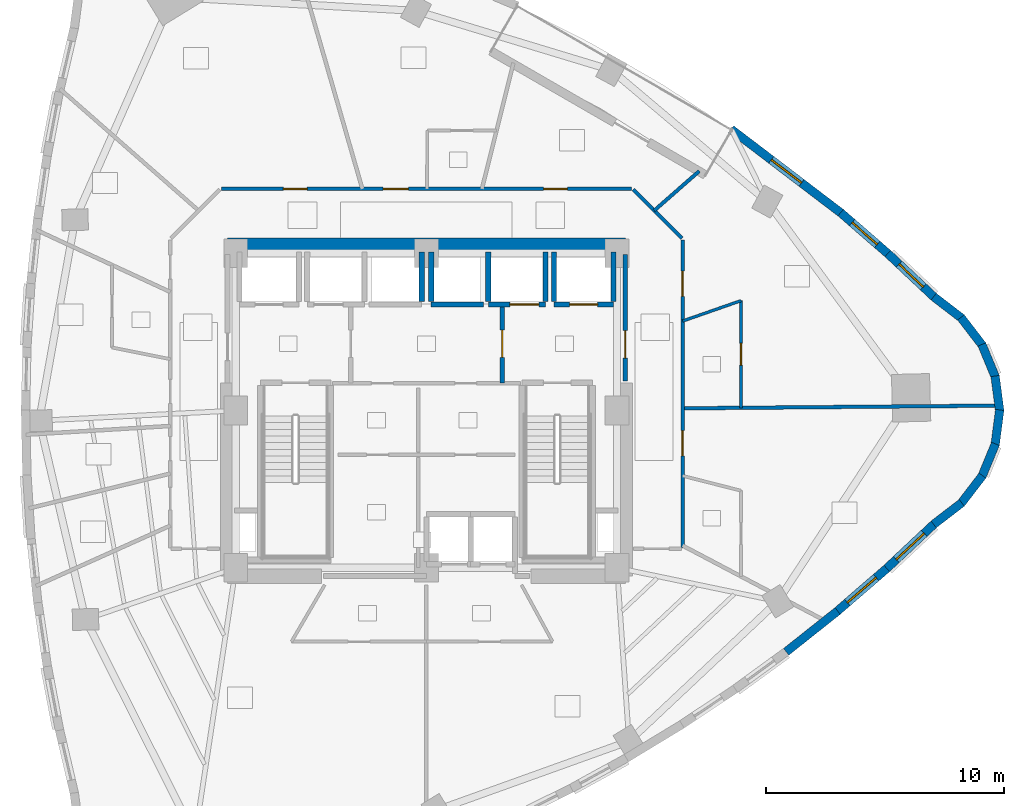
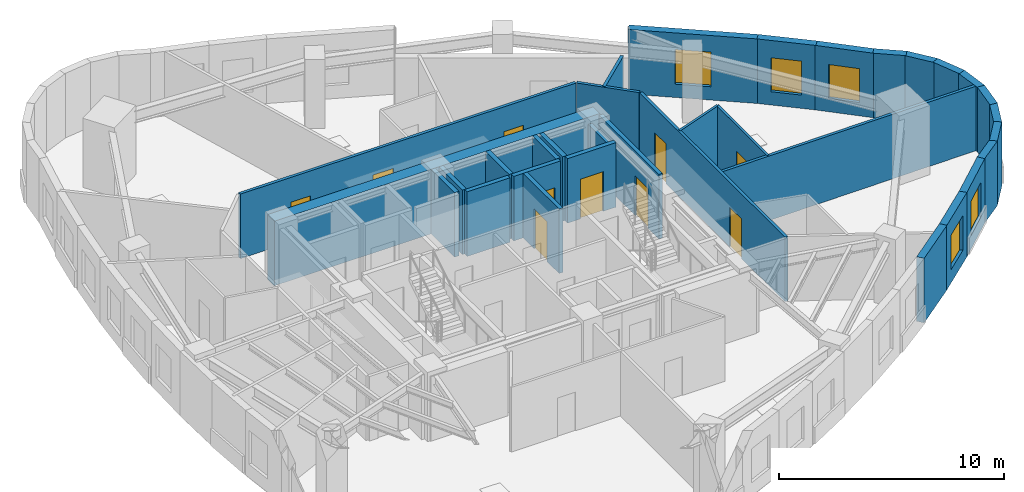
# One storey, part 9 of 13: 33 walls, 10 doors, 5 windows, 15 openings.
"""IFC4 building model written with IfcOpenShell, lengths in metres."""

from ifc_helpers import new_model, si_unit, direction, frame, frame_2d, origin, place, context, subcontext, project, spatial, rectangle, extrude, material, layer, layer_set, type_object, element, fill, save


model = new_model("IFC4")

# Units and contexts
model_context = context("Model", 3, precision=1e-05, world=origin(), true_north=direction((0.0, 1.0)))
body_context = subcontext(model_context, "Body", "Model", "MODEL_VIEW")
ifc_project = project(units=[si_unit("LENGTHUNIT", "METRE"), si_unit("AREAUNIT", "SQUARE_METRE"), si_unit("VOLUMEUNIT", "CUBIC_METRE"), si_unit("PLANEANGLEUNIT", "RADIAN"), si_unit("MASSUNIT", "GRAM", prefix="KILO")], contexts=[model_context])

# Site, building, storey
site_placement = place(None, origin())
site = spatial("IfcSite", under=ifc_project, at=site_placement, CompositionType="ELEMENT")
building_placement = place(site_placement, origin())
building = spatial("IfcBuilding", under=site, at=building_placement, Name="Ndelora Gate Hotel", CompositionType="ELEMENT")
storey_placement = place(building_placement, frame((0.0, 0.0, 123.5)))
storey = spatial("IfcBuildingStorey", under=building, at=storey_placement, Name="L30", CompositionType="ELEMENT", Elevation=123.5)

# Wall
ifc_material_1 = material(Name="Clay Brick Masonry", Category="masonry")
ifc_layer_1 = layer(ifc_material_1, 0.360107421875)
ifc_layer_set_1 = layer_set([ifc_layer_1], Name="Clay Brick Masonry")
wall_type_1 = type_object("IfcWallType", Name="WL-BRICK-360", PredefinedType="SOLIDWALL", material=ifc_layer_set_1)
wall_1_placement = place(storey_placement, frame((17.25927734375, -8.412841796875, 0.0), z_axis=(0.0, 0.0, 1.0), x_axis=(-0.783005616034, -0.622014634281, 0.0)))
element("IfcWall", 1, at=wall_1_placement, inside=storey, type_object=wall_type_1, Name="L30 Tower Brick Pier-and-Spandrel Wall TWR-38", PredefinedType="SOLIDWALL", context=body_context, shape_type="SweptSolid", body=[
    extrude(rectangle(XDim=2.758544921875, YDim=0.360107421875, at=frame_2d((1.37939453125, 0.0))), origin(), (0.0, 0.0, 1.0), 3.5),
])

# Wall, opening, window
wall_2_placement = place(storey_placement, frame((19.322509765625, -6.62890625, 0.0), z_axis=(0.0, 0.0, 1.0), x_axis=(-0.756738013258, -0.65371827211, 0.0)))
wall_2 = element("IfcWall", 2, at=wall_2_placement, inside=storey, type_object=wall_type_1, Name="L30 Tower Brick Pier-and-Spandrel Wall TWR-39", PredefinedType="SOLIDWALL", context=body_context, shape_type="SweptSolid", body=[
    extrude(rectangle(XDim=2.77734375, YDim=0.360107421875, at=frame_2d((1.388671875, 0.0))), origin(), (0.0, 0.0, 1.0), 3.5),
])
opening_1_placement = place(wall_2_placement, frame((0.5888671875, 0.0, 0.719970703125)))
opening_1 = element("IfcOpeningElement", 3, at=opening_1_placement, cuts=wall_2, Name="Opening W01", PredefinedType="OPENING", context=body_context, shape_type="SweptSolid", body=[
    extrude(rectangle(XDim=1.60009765625, YDim=1.8798828125, at=frame_2d((0.800048828125, 0.93994140625))), frame((0.0, 0.18994140625, 0.0), z_axis=(0.0, -1.0, 0.0), x_axis=(1.0, 0.0, 0.0)), (0.0, 0.0, 1.0), 0.380126953125),
])
ifc_material_2 = material(Name="Insulated Low-E Double Glazing in Bronze Aluminium Frame", Category="aluminium")
window_type_1 = type_object("IfcWindowType", Name="WN-DEEP-1600", PartitioningType="SINGLE_PANEL", PredefinedType="WINDOW", material=ifc_material_2)
window_1_placement = place(opening_1_placement, origin())
window_1 = element("IfcWindow", 4, at=window_1_placement, inside=storey, type_object=window_type_1, Name="L30 Deep-Set Brick-Pier Window W01", OverallHeight=1.8798828125, OverallWidth=1.60009765625, PartitioningType="SINGLE_PANEL", PredefinedType="WINDOW", context=body_context, shape_type="SweptSolid", body=[
    extrude(rectangle(XDim=1.60009765625, YDim=1.8798828125, at=frame_2d((0.800048828125, 0.93994140625))), frame((0.0, 0.030029296875, 0.0), z_axis=(0.0, -1.0, 0.0), x_axis=(1.0, 0.0, 0.0)), (0.0, 0.0, 1.0), 0.06005859375),
])
fill(opening_1, window_1)

wall_3_placement = place(storey_placement, frame((21.32861328125, -4.74609375, 0.0), z_axis=(0.0, 0.0, 1.0), x_axis=(-0.729447500313, -0.684036800389, 0.0)))
wall_3 = element("IfcWall", 5, at=wall_3_placement, inside=storey, type_object=wall_type_1, Name="L30 Tower Brick Pier-and-Spandrel Wall TWR-40", PredefinedType="SOLIDWALL", context=body_context, shape_type="SweptSolid", body=[
    extrude(rectangle(XDim=2.801025390625, YDim=0.360107421875, at=frame_2d((1.400390625, 0.0))), origin(), (0.0, 0.0, 1.0), 3.5),
])
opening_2_placement = place(wall_3_placement, frame((0.6005859375, 0.0, 0.719970703125)))
opening_2 = element("IfcOpeningElement", 6, at=opening_2_placement, cuts=wall_3, Name="Opening W01", PredefinedType="OPENING", context=body_context, shape_type="SweptSolid", body=[
    extrude(rectangle(XDim=1.60009765625, YDim=1.8798828125, at=frame_2d((0.800048828125, 0.93994140625))), frame((0.0, 0.18994140625, 0.0), z_axis=(0.0, -1.0, 0.0), x_axis=(1.0, 0.0, 0.0)), (0.0, 0.0, 1.0), 0.380126953125),
])
window_2_placement = place(opening_2_placement, origin())
window_2 = element("IfcWindow", 7, at=window_2_placement, inside=storey, type_object=window_type_1, Name="L30 Deep-Set Brick-Pier Window W01", OverallHeight=1.8798828125, OverallWidth=1.60009765625, PartitioningType="SINGLE_PANEL", PredefinedType="WINDOW", context=body_context, shape_type="SweptSolid", body=[
    extrude(rectangle(XDim=1.60009765625, YDim=1.8798828125, at=frame_2d((0.800048828125, 0.93994140625))), frame((0.0, 0.030029296875, 0.0), z_axis=(0.0, -1.0, 0.0), x_axis=(1.0, 0.0, 0.0)), (0.0, 0.0, 1.0), 0.06005859375),
])
fill(opening_2, window_2)

# Walls
for number, where, z_axis, x_axis, name in (
    (8, (22.46923828125, -3.873779296875, 0.0), (0.0, 0.0, 1.0), (-0.793325936538, -0.608797140611, 0.0), "L30 Tower Brick Pier-and-Spandrel Wall TWR-41"),
    (9, (23.338623046875, -2.730224609375, 0.0), (0.0, 0.0, 1.0), (-0.608797140611, -0.793325936538, 0.0), "L30 Tower Brick Pier-and-Spandrel Wall TWR-42"),
    (10, (23.882568359375, -1.400390625, 0.0), (0.0, 0.0, 1.0), (-0.382666201867, -0.923886669429, 0.0), "L30 Tower Brick Pier-and-Spandrel Wall TWR-43"),
    (11, (24.063720703125, 0.02490234375, 0.0), (0.0, 0.0, 1.0), (-0.130624522576, -0.991431910976, 0.0), "L30 Tower Brick Pier-and-Spandrel Wall TWR-44"),
    (12, (23.86962890625, 1.4482421875, 0.0), (0.0, 0.0, 1.0), (0.130624522576, -0.991431910976, 0.0), "L30 Tower Brick Pier-and-Spandrel Wall TWR-45"),
    (13, (23.31396484375, 2.773193359375, 0.0), (0.0, 0.0, 1.0), (0.382666201867, -0.923886669429, 0.0), "L30 Tower Brick Pier-and-Spandrel Wall TWR-46"),
    (14, (22.43408203125, 3.908935546875, 0.0), (0.0, 0.0, 1.0), (0.608797140611, -0.793325936538, 0.0), "L30 Tower Brick Pier-and-Spandrel Wall TWR-47"),
    (15, (21.29052734375, 4.7783203125, 0.0), (0.0, 0.0, 1.0), (0.793325936538, -0.608797140611, 0.0), "L30 Tower Brick Pier-and-Spandrel Wall TWR-48"),
):
    element("IfcWall", number, at=place(storey_placement, frame(where, z_axis=z_axis, x_axis=x_axis)), inside=storey, type_object=wall_type_1, Name=name, PredefinedType="SOLIDWALL", context=body_context, shape_type="SweptSolid", body=[
        extrude(rectangle(XDim=1.48583984375, YDim=0.360107421875, at=frame_2d((0.742919921875, 0.0))), origin(), (0.0, 0.0, 1.0), 3.5),
    ])

# Wall, opening, window
wall_4_placement = place(storey_placement, frame((19.36669921875, 6.5888671875, 0.0), z_axis=(0.0, 0.0, 1.0), x_axis=(0.728891962159, -0.684628736981, 0.0)))
wall_4 = element("IfcWall", 16, at=wall_4_placement, inside=storey, type_object=wall_type_1, Name="L30 Tower Brick Pier-and-Spandrel Wall TWR-49", PredefinedType="SOLIDWALL", context=body_context, shape_type="SweptSolid", body=[
    extrude(rectangle(XDim=2.691650390625, YDim=0.360107421875, at=frame_2d((1.345703125, 0.0))), origin(), (0.0, 0.0, 1.0), 3.5),
])
opening_3_placement = place(wall_4_placement, frame((0.645751953125, 0.0, 0.719970703125)))
opening_3 = element("IfcOpeningElement", 17, at=opening_3_placement, cuts=wall_4, Name="Opening W02", PredefinedType="OPENING", context=body_context, shape_type="SweptSolid", body=[
    extrude(rectangle(XDim=1.39990234375, YDim=1.840087890625, at=frame_2d((0.699951171875, 0.919921875))), frame((0.0, 0.18994140625, 0.0), z_axis=(0.0, -1.0, 0.0), x_axis=(1.0, 0.0, 0.0)), (0.0, 0.0, 1.0), 0.380126953125),
])
window_type_2 = type_object("IfcWindowType", Name="WN-DEEP-1400", PartitioningType="SINGLE_PANEL", PredefinedType="WINDOW", material=ifc_material_2)
window_3_placement = place(opening_3_placement, origin())
window_3 = element("IfcWindow", 18, at=window_3_placement, inside=storey, type_object=window_type_2, Name="L30 Deep-Set Brick-Pier Window W02", OverallHeight=1.840087890625, OverallWidth=1.39990234375, PartitioningType="SINGLE_PANEL", PredefinedType="WINDOW", context=body_context, shape_type="SweptSolid", body=[
    extrude(rectangle(XDim=1.39990234375, YDim=1.840087890625, at=frame_2d((0.699951171875, 0.919921875))), frame((0.0, 0.030029296875, 0.0), z_axis=(0.0, -1.0, 0.0), x_axis=(1.0, 0.0, 0.0)), (0.0, 0.0, 1.0), 0.06005859375),
])
fill(opening_3, window_3)

wall_5_placement = place(storey_placement, frame((17.387939453125, 8.305908203125, 0.0), z_axis=(0.0, 0.0, 1.0), x_axis=(0.755058136048, -0.655657846126, 0.0)))
wall_5 = element("IfcWall", 19, at=wall_5_placement, inside=storey, type_object=wall_type_1, Name="L30 Tower Brick Pier-and-Spandrel Wall TWR-50", PredefinedType="SOLIDWALL", context=body_context, shape_type="SweptSolid", body=[
    extrude(rectangle(XDim=2.669921875, YDim=0.360107421875, at=frame_2d((1.3349609375, 0.0))), origin(), (0.0, 0.0, 1.0), 3.5),
])
opening_4_placement = place(wall_5_placement, frame((0.635009765625, 0.0, 0.719970703125)))
opening_4 = element("IfcOpeningElement", 20, at=opening_4_placement, cuts=wall_5, Name="Opening W02", PredefinedType="OPENING", context=body_context, shape_type="SweptSolid", body=[
    extrude(rectangle(XDim=1.39990234375, YDim=1.840087890625, at=frame_2d((0.699951171875, 0.919921875))), frame((0.0, 0.18994140625, 0.0), z_axis=(0.0, -1.0, 0.0), x_axis=(1.0, 0.0, 0.0)), (0.0, 0.0, 1.0), 0.380126953125),
])
window_4_placement = place(opening_4_placement, origin())
window_4 = element("IfcWindow", 21, at=window_4_placement, inside=storey, type_object=window_type_2, Name="L30 Deep-Set Brick-Pier Window W02", OverallHeight=1.840087890625, OverallWidth=1.39990234375, PartitioningType="SINGLE_PANEL", PredefinedType="WINDOW", context=body_context, shape_type="SweptSolid", body=[
    extrude(rectangle(XDim=1.39990234375, YDim=1.840087890625, at=frame_2d((0.699951171875, 0.919921875))), frame((0.0, 0.030029296875, 0.0), z_axis=(0.0, -1.0, 0.0), x_axis=(1.0, 0.0, 0.0)), (0.0, 0.0, 1.0), 0.06005859375),
])
fill(opening_4, window_4)

wall_6_placement = place(storey_placement, frame((12.791259765625, 11.8046875, 0.0), z_axis=(0.0, 0.0, 1.0), x_axis=(0.795558665525, -0.605876563095, 0.0)))
wall_6 = element("IfcWall", 22, at=wall_6_placement, inside=storey, type_object=wall_type_1, Name="L30 Tower Brick Pier-and-Spandrel Wall TWR-51", PredefinedType="SOLIDWALL", context=body_context, shape_type="SweptSolid", body=[
    extrude(rectangle(XDim=5.82666015625, YDim=0.360107421875, at=frame_2d((2.913330078125, 0.0))), origin(), (0.0, 0.0, 1.0), 3.5),
])
opening_5_placement = place(wall_6_placement, frame((2.11328125, 0.0, 0.719970703125)))
opening_5 = element("IfcOpeningElement", 23, at=opening_5_placement, cuts=wall_6, Name="Opening W01", PredefinedType="OPENING", context=body_context, shape_type="SweptSolid", body=[
    extrude(rectangle(XDim=1.60009765625, YDim=1.8798828125, at=frame_2d((0.800048828125, 0.93994140625))), frame((0.0, 0.18994140625, 0.0), z_axis=(0.0, -1.0, 0.0), x_axis=(1.0, 0.0, 0.0)), (0.0, 0.0, 1.0), 0.380126953125),
])
window_5_placement = place(opening_5_placement, origin())
window_5 = element("IfcWindow", 24, at=window_5_placement, inside=storey, type_object=window_type_1, Name="L30 Deep-Set Brick-Pier Window W01", OverallHeight=1.8798828125, OverallWidth=1.60009765625, PartitioningType="SINGLE_PANEL", PredefinedType="WINDOW", context=body_context, shape_type="SweptSolid", body=[
    extrude(rectangle(XDim=1.60009765625, YDim=1.8798828125, at=frame_2d((0.800048828125, 0.93994140625))), frame((0.0, 0.030029296875, 0.0), z_axis=(0.0, -1.0, 0.0), x_axis=(1.0, 0.0, 0.0)), (0.0, 0.0, 1.0), 0.06005859375),
])
fill(opening_5, window_5)

# Wall
ifc_material_3 = material(Name="Concrete C60/75", Category="concrete")
ifc_layer_2 = layer(ifc_material_3, 0.60009765625)
ifc_layer_set_2 = layer_set([ifc_layer_2], Name="Concrete C60/75")
wall_type_2 = type_object("IfcWallType", Name="WL-CORE-600", PredefinedType="SHEAR", material=ifc_layer_set_2)
wall_7_placement = place(storey_placement, frame((-8.35009765625, 6.949951171875, 0.0), z_axis=(0.0, 0.0, 1.0), x_axis=(1.0, 0.0, 0.0)))
element("IfcWall", 25, at=wall_7_placement, inside=storey, type_object=wall_type_2, Name="L30 Core Shear Wall N", PredefinedType="SHEAR", context=body_context, shape_type="SweptSolid", body=[
    extrude(rectangle(XDim=16.7001953125, YDim=0.60009765625, at=frame_2d((8.35009765625, 0.0))), origin(), (0.0, 0.0, 1.0), 3.5),
])

# Wall, opening, door
ifc_material_4 = material(Name="Concrete C40/50", Category="concrete")
ifc_layer_3 = layer(ifc_material_4, 0.199951171875)
ifc_layer_set_3 = layer_set([ifc_layer_3], Name="Concrete C40/50")
wall_type_3 = type_object("IfcWallType", Name="WL-FIRE-200", PredefinedType="PARTITIONING", material=ifc_layer_set_3)
wall_8_placement = place(storey_placement, frame((3.179931640625, 1.14990234375, 0.0), z_axis=(0.0, 0.0, 1.0), x_axis=(0.0, 1.0, 0.0)))
wall_8 = element("IfcWall", 26, at=wall_8_placement, inside=storey, type_object=wall_type_3, Name="L30 Interior Wall IW-2", PredefinedType="PARTITIONING", context=body_context, shape_type="SweptSolid", body=[
    extrude(rectangle(XDim=3.300048828125, YDim=0.199951171875, at=frame_2d((1.64990234375, 0.0))), origin(), (0.0, 0.0, 1.0), 3.5),
])
opening_6_placement = place(wall_8_placement, frame((1.080078125, 0.0, 0.0)))
opening_6 = element("IfcOpeningElement", 27, at=opening_6_placement, cuts=wall_8, Name="Opening FD1", PredefinedType="OPENING", context=body_context, shape_type="SweptSolid", body=[
    extrude(rectangle(XDim=1.14990234375, YDim=2.14990234375, at=frame_2d((0.574951171875, 1.074951171875))), frame((0.0, 0.10986328125, 0.0), z_axis=(0.0, -1.0, 0.0), x_axis=(1.0, 0.0, 0.0)), (0.0, 0.0, 1.0), 0.219970703125),
])
ifc_material_5 = material(Name="Fire-Rated Timber-Veneer Steel Core", Category="steel")
door_type_1 = type_object("IfcDoorType", Name="DR-FD60", OperationType="SINGLE_SWING_LEFT", PredefinedType="DOOR", material=ifc_material_5)
door_1_placement = place(opening_6_placement, origin())
door_1 = element("IfcDoor", 28, at=door_1_placement, inside=storey, type_object=door_type_1, Name="L30 Firefighting Lobby East Door", OperationType="SINGLE_SWING_LEFT", OverallHeight=2.14990234375, OverallWidth=1.14990234375, PredefinedType="DOOR", context=body_context, shape_type="SweptSolid", body=[
    extrude(rectangle(XDim=1.14990234375, YDim=2.14990234375, at=frame_2d((0.574951171875, 1.074951171875))), frame((0.0, 0.02490234375, 0.0), z_axis=(0.0, -1.0, 0.0), x_axis=(1.0, 0.0, 0.0)), (0.0, 0.0, 1.0), 0.050048828125),
])
fill(opening_6, door_1)

wall_9_placement = place(storey_placement, frame((8.35009765625, 1.25, 0.0), z_axis=(0.0, 0.0, 1.0), x_axis=(0.0, 1.0, 0.0)))
wall_9 = element("IfcWall", 29, at=wall_9_placement, inside=storey, type_object=wall_type_3, Name="L30 Interior Wall IW-2", PredefinedType="PARTITIONING", context=body_context, shape_type="SweptSolid", body=[
    extrude(rectangle(XDim=5.300048828125, YDim=0.199951171875, at=frame_2d((2.64990234375, 0.0))), origin(), (0.0, 0.0, 1.0), 3.5),
])
opening_7_placement = place(wall_9_placement, frame((0.949951171875, 0.0, 0.0)))
opening_7 = element("IfcOpeningElement", 30, at=opening_7_placement, cuts=wall_9, Name="Opening FD1", PredefinedType="OPENING", context=body_context, shape_type="SweptSolid", body=[
    extrude(rectangle(XDim=1.14990234375, YDim=2.14990234375, at=frame_2d((0.574951171875, 1.074951171875))), frame((0.0, 0.10986328125, 0.0), z_axis=(0.0, -1.0, 0.0), x_axis=(1.0, 0.0, 0.0)), (0.0, 0.0, 1.0), 0.219970703125),
])
door_2_placement = place(opening_7_placement, origin())
door_2 = element("IfcDoor", 31, at=door_2_placement, inside=storey, type_object=door_type_1, Name="L30 Firefighting Lobby East Corridor Door", OperationType="SINGLE_SWING_RIGHT", OverallHeight=2.14990234375, OverallWidth=1.14990234375, PredefinedType="DOOR", context=body_context, shape_type="SweptSolid", body=[
    extrude(rectangle(XDim=1.14990234375, YDim=2.14990234375, at=frame_2d((0.574951171875, 1.074951171875))), frame((0.0, 0.02490234375, 0.0), z_axis=(0.0, -1.0, 0.0), x_axis=(1.0, 0.0, 0.0)), (0.0, 0.0, 1.0), 0.050048828125),
])
fill(opening_7, door_2)

# Wall, openings, doors
ifc_material_6 = material(Name="Fire-Rated Gypsum Stud Partition", Category="gypsum")
ifc_layer_4 = layer(ifc_material_6, 0.14990234375)
ifc_layer_set_4 = layer_set([ifc_layer_4], Name="Fire-Rated Gypsum Stud Partition")
wall_type_4 = type_object("IfcWallType", Name="WL-PART-150", PredefinedType="PARTITIONING", material=ifc_layer_set_4)
wall_10_placement = place(storey_placement, frame((10.75, 7.159912109375, 0.0), z_axis=(0.0, 0.0, 1.0), x_axis=(0.0, -1.0, 0.0)))
wall_10 = element("IfcWall", 32, at=wall_10_placement, inside=storey, type_object=wall_type_4, Name="L30 Interior Wall IW-5", PredefinedType="PARTITIONING", context=body_context, shape_type="SweptSolid", body=[
    extrude(rectangle(XDim=12.919921875, YDim=0.14990234375, at=frame_2d((6.4599609375, 0.0))), origin(), (0.0, 0.0, 1.0), 3.5),
])
opening_8_placement = place(wall_10_placement, frame((8.005859375, 0.0, 0.0)))
opening_8 = element("IfcOpeningElement", 33, at=opening_8_placement, cuts=wall_10, Name="Opening D07", PredefinedType="OPENING", context=body_context, shape_type="SweptSolid", body=[
    extrude(rectangle(XDim=1.06005859375, YDim=2.14990234375, at=frame_2d((0.530029296875, 1.074951171875))), frame((0.0, 0.0849609375, 0.0), z_axis=(0.0, -1.0, 0.0), x_axis=(1.0, 0.0, 0.0)), (0.0, 0.0, 1.0), 0.169921875),
])
opening_9_placement = place(wall_10_placement, frame((1.31201171875, 0.0, 0.0)))
opening_9 = element("IfcOpeningElement", 34, at=opening_9_placement, cuts=wall_10, Name="Opening D07", PredefinedType="OPENING", context=body_context, shape_type="SweptSolid", body=[
    extrude(rectangle(XDim=1.06005859375, YDim=2.14990234375, at=frame_2d((0.530029296875, 1.074951171875))), frame((0.0, 0.0849609375, 0.0), z_axis=(0.0, -1.0, 0.0), x_axis=(1.0, 0.0, 0.0)), (0.0, 0.0, 1.0), 0.169921875),
])
ifc_material_7 = material(Name="Diplomatic Suite Acoustic Entrance Door", Category="wood")
door_type_2 = type_object("IfcDoorType", Name="DR-SUITE-1060", OperationType="SINGLE_SWING_LEFT", PredefinedType="DOOR", material=ifc_material_7)
door_3_placement = place(opening_8_placement, origin())
door_3 = element("IfcDoor", 35, at=door_3_placement, inside=storey, type_object=door_type_2, Name="L30 Club Twin Junior Suite 3303 Entrance Door", OperationType="SINGLE_SWING_RIGHT", OverallHeight=2.14990234375, OverallWidth=1.06005859375, PredefinedType="DOOR", context=body_context, shape_type="SweptSolid", body=[
    extrude(rectangle(XDim=1.06005859375, YDim=2.14990234375, at=frame_2d((0.530029296875, 1.074951171875))), frame((0.0, 0.02490234375, 0.0), z_axis=(0.0, -1.0, 0.0), x_axis=(1.0, 0.0, 0.0)), (0.0, 0.0, 1.0), 0.050048828125),
])
fill(opening_8, door_3)
door_4_placement = place(opening_9_placement, origin())
door_4 = element("IfcDoor", 36, at=door_4_placement, inside=storey, type_object=door_type_2, Name="L30 Grand Club Suite 3304 Entrance Door", OperationType="SINGLE_SWING_LEFT", OverallHeight=2.14990234375, OverallWidth=1.06005859375, PredefinedType="DOOR", context=body_context, shape_type="SweptSolid", body=[
    extrude(rectangle(XDim=1.06005859375, YDim=2.14990234375, at=frame_2d((0.530029296875, 1.074951171875))), frame((0.0, 0.02490234375, 0.0), z_axis=(0.0, -1.0, 0.0), x_axis=(1.0, 0.0, 0.0)), (0.0, 0.0, 1.0), 0.050048828125),
])
fill(opening_9, door_4)

# Wall
wall_11_placement = place(storey_placement, frame((8.67822265625, 9.271728515625, 0.0), z_axis=(0.0, 0.0, 1.0), x_axis=(0.707106781187, -0.707106781187, 0.0)))
element("IfcWall", 37, at=wall_11_placement, inside=storey, type_object=wall_type_4, Name="L30 Interior Wall IW-5", PredefinedType="PARTITIONING", context=body_context, shape_type="SweptSolid", body=[
    extrude(rectangle(XDim=2.889892578125, YDim=0.14990234375, at=frame_2d((1.44482421875, 0.0))), origin(), (0.0, 0.0, 1.0), 3.5),
])

# Wall, openings, doors
wall_12_placement = place(storey_placement, frame((-8.610107421875, 9.300048828125, 0.0), z_axis=(0.0, 0.0, 1.0), x_axis=(1.0, 0.0, 0.0)))
wall_12 = element("IfcWall", 38, at=wall_12_placement, inside=storey, type_object=wall_type_4, Name="L30 Interior Wall IW-5", PredefinedType="PARTITIONING", context=body_context, shape_type="SweptSolid", body=[
    extrude(rectangle(XDim=17.22021484375, YDim=0.14990234375, at=frame_2d((8.610107421875, 0.0))), origin(), (0.0, 0.0, 1.0), 3.5),
])
opening_10_placement = place(wall_12_placement, frame((13.52978515625, 0.0, 0.0)))
opening_10 = element("IfcOpeningElement", 39, at=opening_10_placement, cuts=wall_12, Name="Opening D01", PredefinedType="OPENING", context=body_context, shape_type="SweptSolid", body=[
    extrude(rectangle(XDim=1.0, YDim=2.14990234375, at=frame_2d((0.5, 1.074951171875))), frame((0.0, 0.0849609375, 0.0), z_axis=(0.0, -1.0, 0.0), x_axis=(1.0, 0.0, 0.0)), (0.0, 0.0, 1.0), 0.169921875),
])
opening_11_placement = place(wall_12_placement, frame((6.796875, 0.0, 0.0)))
opening_11 = element("IfcOpeningElement", 40, at=opening_11_placement, cuts=wall_12, Name="Opening D07", PredefinedType="OPENING", context=body_context, shape_type="SweptSolid", body=[
    extrude(rectangle(XDim=1.06005859375, YDim=2.14990234375, at=frame_2d((0.530029296875, 1.074951171875))), frame((0.0, 0.0849609375, 0.0), z_axis=(0.0, -1.0, 0.0), x_axis=(1.0, 0.0, 0.0)), (0.0, 0.0, 1.0), 0.169921875),
])
opening_12_placement = place(wall_12_placement, frame((2.601318359375, 0.0, 0.0)))
opening_12 = element("IfcOpeningElement", 41, at=opening_12_placement, cuts=wall_12, Name="Opening D01", PredefinedType="OPENING", context=body_context, shape_type="SweptSolid", body=[
    extrude(rectangle(XDim=1.0, YDim=2.14990234375, at=frame_2d((0.5, 1.074951171875))), frame((0.0, 0.0849609375, 0.0), z_axis=(0.0, -1.0, 0.0), x_axis=(1.0, 0.0, 0.0)), (0.0, 0.0, 1.0), 0.169921875),
])
ifc_material_8 = material(Name="Acoustic Hardwood Guest Entrance Door", Category="wood")
door_type_3 = type_object("IfcDoorType", Name="DR-COR-1000", OperationType="SINGLE_SWING_LEFT", PredefinedType="DOOR", material=ifc_material_8)
door_5_placement = place(opening_10_placement, origin())
door_5 = element("IfcDoor", 42, at=door_5_placement, inside=storey, type_object=door_type_3, Name="L30 Sky Garden Tea Dining Room Entrance Door", OperationType="SINGLE_SWING_RIGHT", OverallHeight=2.14990234375, OverallWidth=1.0, PredefinedType="DOOR", context=body_context, shape_type="SweptSolid", body=[
    extrude(rectangle(XDim=1.0, YDim=2.14990234375, at=frame_2d((0.5, 1.074951171875))), frame((0.0, 0.02490234375, 0.0), z_axis=(0.0, -1.0, 0.0), x_axis=(1.0, 0.0, 0.0)), (0.0, 0.0, 1.0), 0.050048828125),
])
fill(opening_10, door_5)
door_6_placement = place(opening_12_placement, origin())
door_6 = element("IfcDoor", 43, at=door_6_placement, inside=storey, type_object=door_type_3, Name="L30 Private Club Dining Room Entrance Door", OperationType="SINGLE_SWING_LEFT", OverallHeight=2.14990234375, OverallWidth=1.0, PredefinedType="DOOR", context=body_context, shape_type="SweptSolid", body=[
    extrude(rectangle(XDim=1.0, YDim=2.14990234375, at=frame_2d((0.5, 1.074951171875))), frame((0.0, 0.02490234375, 0.0), z_axis=(0.0, -1.0, 0.0), x_axis=(1.0, 0.0, 0.0)), (0.0, 0.0, 1.0), 0.050048828125),
])
fill(opening_12, door_6)
door_7_placement = place(opening_11_placement, origin())
door_7 = element("IfcDoor", 44, at=door_7_placement, inside=storey, type_object=door_type_2, Name="L30 Club Executive Suite 3305 Entrance Door", OperationType="SINGLE_SWING_LEFT", OverallHeight=2.14990234375, OverallWidth=1.06005859375, PredefinedType="DOOR", context=body_context, shape_type="SweptSolid", body=[
    extrude(rectangle(XDim=1.06005859375, YDim=2.14990234375, at=frame_2d((0.530029296875, 1.074951171875))), frame((0.0, 0.02490234375, 0.0), z_axis=(0.0, -1.0, 0.0), x_axis=(1.0, 0.0, 0.0)), (0.0, 0.0, 1.0), 0.050048828125),
])
fill(opening_11, door_7)

# Walls
wall_13_placement = place(storey_placement, frame((10.75, 0.09228515625, 0.0), z_axis=(0.0, 0.0, 1.0), x_axis=(0.999962849389, 0.008619735634, 0.0)))
element("IfcWall", 45, at=wall_13_placement, inside=storey, type_object=wall_type_4, Name="L30 Interior Wall IW-5", PredefinedType="PARTITIONING", context=body_context, shape_type="SweptSolid", body=[
    extrude(rectangle(XDim=13.28369140625, YDim=0.14990234375, at=frame_2d((6.641845703125, 0.0))), origin(), (0.0, 0.0, 1.0), 3.5),
])
wall_14_placement = place(storey_placement, frame((9.5595703125, 8.390380859375, 0.0), z_axis=(0.0, 0.0, 1.0), x_axis=(0.751523551738, 0.659706261289, 0.0)))
element("IfcWall", 46, at=wall_14_placement, inside=storey, type_object=wall_type_4, Name="L30 Interior Wall IW-5", PredefinedType="PARTITIONING", context=body_context, shape_type="SweptSolid", body=[
    extrude(rectangle(XDim=2.515380859375, YDim=0.14990234375, at=frame_2d((1.2578125, 0.0))), origin(), (0.0, 0.0, 1.0), 3.5),
])

# Wall, opening, door
ifc_layer_5 = layer(ifc_material_4, 0.219970703125)
ifc_layer_set_5 = layer_set([ifc_layer_5], Name="Concrete C40/50")
wall_type_5 = type_object("IfcWallType", Name="WL-SHAFT-220", PredefinedType="PARTITIONING", material=ifc_layer_set_5)
wall_15_placement = place(storey_placement, frame((5.35009765625, 4.449951171875, 0.0), z_axis=(0.0, 0.0, 1.0), x_axis=(1.0, 0.0, 0.0)))
wall_15 = element("IfcWall", 47, at=wall_15_placement, inside=storey, type_object=wall_type_5, Name="L30 Interior Wall IW-1", PredefinedType="PARTITIONING", context=body_context, shape_type="SweptSolid", body=[
    extrude(rectangle(XDim=2.5, YDim=0.219970703125, at=frame_2d((1.25, 0.0))), origin(), (0.0, 0.0, 1.0), 3.5),
])
opening_13_placement = place(wall_15_placement, frame((0.659912109375, 0.0, 0.0)))
opening_13 = element("IfcOpeningElement", 48, at=opening_13_placement, cuts=wall_15, Name="Opening LD5", PredefinedType="OPENING", context=body_context, shape_type="SweptSolid", body=[
    extrude(rectangle(XDim=1.179931640625, YDim=2.14990234375, at=frame_2d((0.58984375, 1.074951171875))), frame((0.0, 0.1201171875, 0.0), z_axis=(0.0, -1.0, 0.0), x_axis=(1.0, 0.0, 0.0)), (0.0, 0.0, 1.0), 0.239990234375),
])
ifc_material_9 = material(Name="Firefighting Lift Stainless Sliding Landing Door", Category="metal")
door_type_4 = type_object("IfcDoorType", Name="DR-LD5", OperationType="DOUBLE_DOOR_SLIDING", PredefinedType="DOOR", material=ifc_material_9)
door_8_placement = place(opening_13_placement, origin())
door_8 = element("IfcDoor", 49, at=door_8_placement, inside=storey, type_object=door_type_4, Name="L30 Lift Landing Sliding Door FFL2", OperationType="DOUBLE_DOOR_SLIDING", OverallHeight=2.14990234375, OverallWidth=1.179931640625, PredefinedType="DOOR", context=body_context, shape_type="SweptSolid", body=[
    extrude(rectangle(XDim=1.179931640625, YDim=2.14990234375, at=frame_2d((0.58984375, 1.074951171875))), frame((0.0, 0.02490234375, 0.0), z_axis=(0.0, -1.0, 0.0), x_axis=(1.0, 0.0, 0.0)), (0.0, 0.0, 1.0), 0.050048828125),
])
fill(opening_13, door_8)

# Walls
wall_16_placement = place(storey_placement, frame((5.35009765625, 4.570068359375, 0.0), z_axis=(0.0, 0.0, 1.0), x_axis=(0.0, 1.0, 0.0)))
element("IfcWall", 50, at=wall_16_placement, inside=storey, type_object=wall_type_5, Name="L30 Interior Wall IW-1", PredefinedType="PARTITIONING", context=body_context, shape_type="SweptSolid", body=[
    extrude(rectangle(XDim=2.079833984375, YDim=0.219970703125, at=frame_2d((1.0400390625, 0.0))), origin(), (0.0, 0.0, 1.0), 3.5),
])
wall_17_placement = place(storey_placement, frame((7.85009765625, 4.570068359375, 0.0), z_axis=(0.0, 0.0, 1.0), x_axis=(0.0, 1.0, 0.0)))
element("IfcWall", 51, at=wall_17_placement, inside=storey, type_object=wall_type_5, Name="L30 Interior Wall IW-1", PredefinedType="PARTITIONING", context=body_context, shape_type="SweptSolid", body=[
    extrude(rectangle(XDim=2.079833984375, YDim=0.219970703125, at=frame_2d((1.0400390625, 0.0))), origin(), (0.0, 0.0, 1.0), 3.1201171875),
])

# Wall, opening, door
wall_18_placement = place(storey_placement, frame((2.60009765625, 4.449951171875, 0.0), z_axis=(0.0, 0.0, 1.0), x_axis=(1.0, 0.0, 0.0)))
wall_18 = element("IfcWall", 52, at=wall_18_placement, inside=storey, type_object=wall_type_5, Name="L30 Interior Wall IW-1", PredefinedType="PARTITIONING", context=body_context, shape_type="SweptSolid", body=[
    extrude(rectangle(XDim=2.39990234375, YDim=0.219970703125, at=frame_2d((1.199951171875, 0.0))), origin(), (0.0, 0.0, 1.0), 3.5),
])
opening_14_placement = place(wall_18_placement, frame((0.89990234375, 0.0, 0.0)))
opening_14 = element("IfcOpeningElement", 53, at=opening_14_placement, cuts=wall_18, Name="Opening LD6", PredefinedType="OPENING", context=body_context, shape_type="SweptSolid", body=[
    extrude(rectangle(XDim=1.219970703125, YDim=2.14990234375, at=frame_2d((0.60986328125, 1.074951171875))), frame((0.0, 0.1201171875, 0.0), z_axis=(0.0, -1.0, 0.0), x_axis=(1.0, 0.0, 0.0)), (0.0, 0.0, 1.0), 0.239990234375),
])
ifc_material_10 = material(Name="Heavy-Duty Service Lift Sliding Landing Door", Category="wood")
door_type_5 = type_object("IfcDoorType", Name="DR-LD6", OperationType="DOUBLE_DOOR_SLIDING", PredefinedType="DOOR", material=ifc_material_10)
door_9_placement = place(opening_14_placement, origin())
door_9 = element("IfcDoor", 54, at=door_9_placement, inside=storey, type_object=door_type_5, Name="L30 Lift Landing Sliding Door SVL2", OperationType="DOUBLE_DOOR_SLIDING", OverallHeight=2.14990234375, OverallWidth=1.219970703125, PredefinedType="DOOR", context=body_context, shape_type="SweptSolid", body=[
    extrude(rectangle(XDim=1.219970703125, YDim=2.14990234375, at=frame_2d((0.60986328125, 1.074951171875))), frame((0.0, 0.02490234375, 0.0), z_axis=(0.0, -1.0, 0.0), x_axis=(1.0, 0.0, 0.0)), (0.0, 0.0, 1.0), 0.050048828125),
])
fill(opening_14, door_9)

# Walls
for number, where, z_axis, x_axis, name in (
    (55, (2.60009765625, 4.570068359375, 0.0), (0.0, 0.0, 1.0), (0.0, 1.0, 0.0), "L30 Interior Wall IW-1"),
    (56, (5.0, 4.570068359375, 0.0), (0.0, 0.0, 1.0), (0.0, 1.0, 0.0), "L30 Interior Wall IW-1"),
    (57, (-0.199951171875, 4.570068359375, 0.0), (0.0, 0.0, 1.0), (0.0, 1.0, 0.0), "L30 Interior Wall IW-1"),
):
    element("IfcWall", number, at=place(storey_placement, frame(where, z_axis=z_axis, x_axis=x_axis)), inside=storey, type_object=wall_type_5, Name=name, PredefinedType="PARTITIONING", context=body_context, shape_type="SweptSolid", body=[
        extrude(rectangle(XDim=2.079833984375, YDim=0.219970703125, at=frame_2d((1.0400390625, 0.0))), origin(), (0.0, 0.0, 1.0), 3.5),
    ])
wall_19_placement = place(storey_placement, frame((0.199951171875, 4.449951171875, 0.0), z_axis=(0.0, 0.0, 1.0), x_axis=(1.0, 0.0, 0.0)))
element("IfcWall", 58, at=wall_19_placement, inside=storey, type_object=wall_type_5, Name="L30 Interior Wall IW-1", PredefinedType="PARTITIONING", context=body_context, shape_type="SweptSolid", body=[
    extrude(rectangle(XDim=2.199951171875, YDim=0.219970703125, at=frame_2d((1.10009765625, 0.0))), origin(), (0.0, 0.0, 1.0), 3.5),
])
wall_20_placement = place(storey_placement, frame((0.199951171875, 4.570068359375, 0.0), z_axis=(0.0, 0.0, 1.0), x_axis=(0.0, 1.0, 0.0)))
element("IfcWall", 59, at=wall_20_placement, inside=storey, type_object=wall_type_5, Name="L30 Interior Wall IW-1", PredefinedType="PARTITIONING", context=body_context, shape_type="SweptSolid", body=[
    extrude(rectangle(XDim=2.079833984375, YDim=0.219970703125, at=frame_2d((1.0400390625, 0.0))), origin(), (0.0, 0.0, 1.0), 3.5),
])
ifc_material_11 = material(Name="Moisture-Resistant Bathroom Tile Partition", Category="gypsum")
ifc_layer_6 = layer(ifc_material_11, 0.1201171875)
ifc_layer_set_6 = layer_set([ifc_layer_6], Name="Moisture-Resistant Bathroom Tile Partition")
wall_type_6 = type_object("IfcWallType", Name="WL-WET-120", PredefinedType="PARTITIONING", material=ifc_layer_set_6)
wall_21_placement = place(storey_placement, frame((13.199951171875, 4.610107421875, 0.0), z_axis=(0.0, 0.0, 1.0), x_axis=(-0.944070831108, -0.32974272676, 0.0)))
element("IfcWall", 60, at=wall_21_placement, inside=storey, type_object=wall_type_6, Name="L30 Interior Wall IW-7", PredefinedType="PARTITIONING", context=body_context, shape_type="SweptSolid", body=[
    extrude(rectangle(XDim=2.594970703125, YDim=0.1201171875, at=frame_2d((1.29736328125, 0.0))), origin(), (0.0, 0.0, 1.0), 3.5),
])

# Wall, opening, door
wall_22_placement = place(storey_placement, frame((13.199951171875, 4.610107421875, 0.0), z_axis=(0.0, 0.0, 1.0), x_axis=(0.0, -1.0, 0.0)))
wall_22 = element("IfcWall", 61, at=wall_22_placement, inside=storey, type_object=wall_type_6, Name="L30 Interior Wall IW-7", PredefinedType="PARTITIONING", context=body_context, shape_type="SweptSolid", body=[
    extrude(rectangle(XDim=4.49658203125, YDim=0.1201171875, at=frame_2d((2.248291015625, 0.0))), origin(), (0.0, 0.0, 1.0), 3.5),
])
opening_15_placement = place(wall_22_placement, frame((1.788330078125, 0.0, 0.0)))
opening_15 = element("IfcOpeningElement", 62, at=opening_15_placement, cuts=wall_22, Name="Opening D03", PredefinedType="OPENING", context=body_context, shape_type="SweptSolid", body=[
    extrude(rectangle(XDim=0.919921875, YDim=2.10009765625, at=frame_2d((0.4599609375, 1.050048828125))), frame((0.0, 0.070068359375, 0.0), z_axis=(0.0, -1.0, 0.0), x_axis=(1.0, 0.0, 0.0)), (0.0, 0.0, 1.0), 0.14013671875),
])
ifc_material_12 = material(Name="Moisture-Resistant Hardwood En-Suite Door", Category="wood")
door_type_6 = type_object("IfcDoorType", Name="DR-BATH-920", OperationType="SINGLE_SWING_LEFT", PredefinedType="DOOR", material=ifc_material_12)
door_10_placement = place(opening_15_placement, origin())
door_10 = element("IfcDoor", 63, at=door_10_placement, inside=storey, type_object=door_type_6, Name="L30 En-suite Bathroom 3304 Door", OperationType="SINGLE_SWING_LEFT", OverallHeight=2.10009765625, OverallWidth=0.919921875, PredefinedType="DOOR", context=body_context, shape_type="SweptSolid", body=[
    extrude(rectangle(XDim=0.919921875, YDim=2.10009765625, at=frame_2d((0.4599609375, 1.050048828125))), frame((0.0, 0.02490234375, 0.0), z_axis=(0.0, -1.0, 0.0), x_axis=(1.0, 0.0, 0.0)), (0.0, 0.0, 1.0), 0.050048828125),
])
fill(opening_15, door_10)

save(model, "model.ifc")
